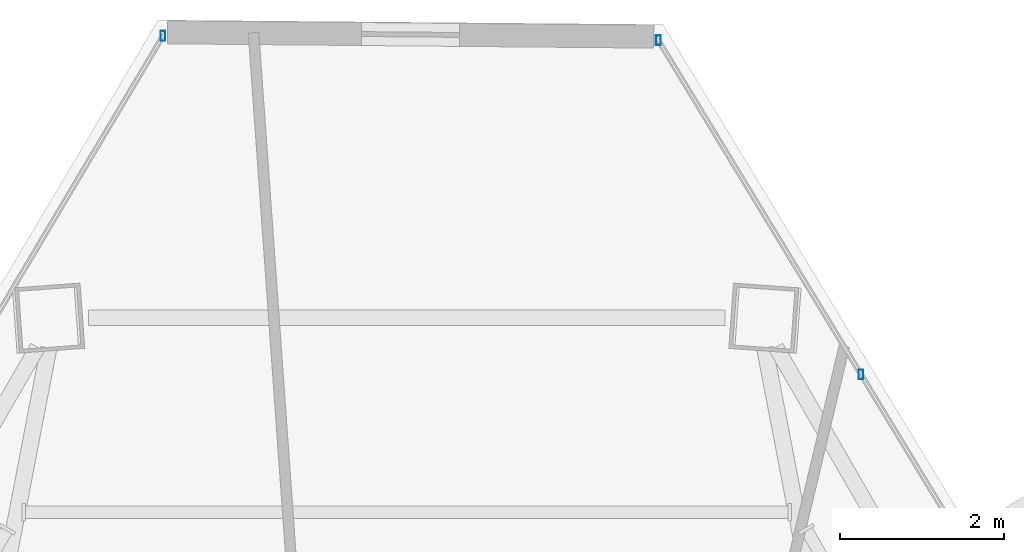
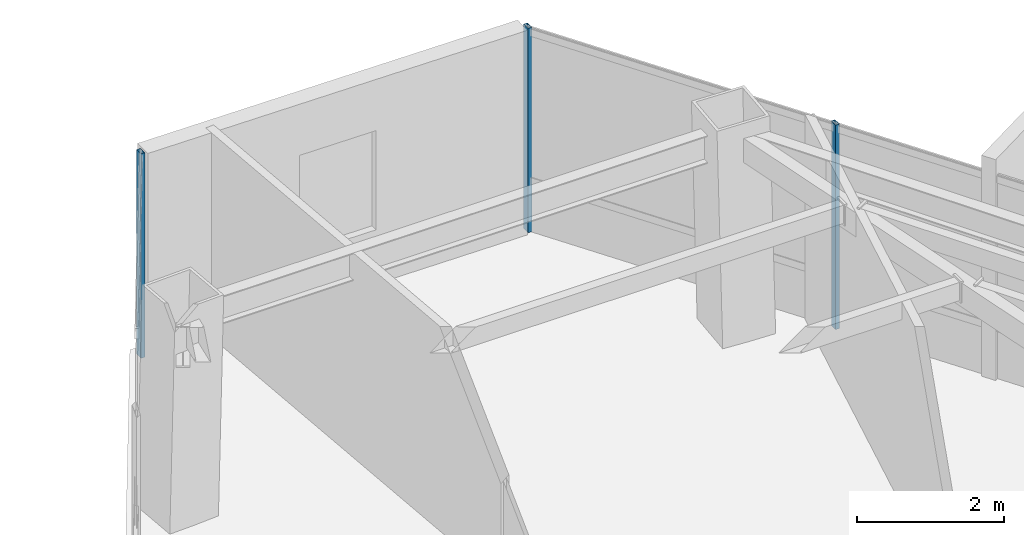
# One storey, part 35 of 49: 3 members, 2 elements without a shape of their own.
"""IFC4 building model written with IfcOpenShell, lengths in metres."""

import ifcopenshell
import ifcopenshell.guid

model = None  # the IFC model being written
_history = None  # IfcOwnerHistory: only IFC2X3 demands one
_inside = {}  # id of a spatial element -> (the spatial element, [elements in it])
_under = {}  # id of a project, library or spatial element -> (it, [spatial elements below it])
_declared = {}  # id of a project -> (the project, [libraries it declares])
_typed = {}  # id of a type object -> (the type object, [elements of that type])
_made_of = {}  # id of a material, layer set ... -> (it, [elements and type objects made of it])


def new_model(schema):
    """Start an empty IFC model of exactly this schema.

    Asked for "IFC4X3", IfcOpenShell would pick the latest addendum, in which some entities
    have other attributes; the version numbers below select the first issue.
    IFC2X3 requires an IfcOwnerHistory on every rooted entity: one is made here for all.
    """
    global model, _history
    if schema == "IFC4X3":
        model = ifcopenshell.file(schema_version=(4, 3, 0, 0))
    else:
        model = ifcopenshell.file(schema=schema)
    _inside.clear()
    _under.clear()
    _declared.clear()
    _typed.clear()
    _made_of.clear()
    _history = None
    if model.schema == "IFC2X3":
        org = make("IfcOrganization", Name="unknown")
        user = make(
            "IfcPersonAndOrganization",
            ThePerson=make("IfcPerson", FamilyName="unknown"),
            TheOrganization=org,
        )
        app = make(
            "IfcApplication",
            ApplicationDeveloper=org,
            Version="unknown",
            ApplicationFullName="unknown",
            ApplicationIdentifier="unknown",
        )
        _history = make(
            "IfcOwnerHistory",
            OwningUser=user,
            OwningApplication=app,
            ChangeAction="ADDED",
            CreationDate=0,
        )
    return model


def make(cls, **values):
    """One entity of the class cls with the attributes given. An attribute that is None is left unset."""
    return model.create_entity(
        cls, **{name: value for name, value in values.items() if value is not None}
    )


def rooted(cls, **values):
    """An entity with a GlobalId (a new one), such as an element, a storey or a relation."""
    return make(cls, GlobalId=ifcopenshell.guid.new(), OwnerHistory=_history, **values)


def si_unit(unit_type, name, prefix=None):
    """IfcSIUnit, for example si_unit("LENGTHUNIT", "METRE", prefix="MILLI")."""
    return make("IfcSIUnit", UnitType=unit_type, Prefix=prefix, Name=name)


def assignment(units):
    """IfcUnitAssignment: the units of a project."""
    return None if units is None else make("IfcUnitAssignment", Units=units)


def point(xyz):
    """IfcCartesianPoint."""
    return None if xyz is None else make("IfcCartesianPoint", Coordinates=xyz)


def direction(xyz):
    """IfcDirection."""
    return None if xyz is None else make("IfcDirection", DirectionRatios=xyz)


def frame(location, z_axis=None, x_axis=None):
    """IfcAxis2Placement3D, a coordinate frame: its origin and axes. An axis left out is left unset."""
    return make(
        "IfcAxis2Placement3D",
        Location=point(location),
        Axis=direction(z_axis),
        RefDirection=direction(x_axis),
    )


def frame_2d(location, x_axis=None):
    """IfcAxis2Placement2D, a coordinate frame in the plane: its origin and x axis."""
    return make(
        "IfcAxis2Placement2D", Location=point(location), RefDirection=direction(x_axis)
    )


def origin():
    """The frame at (0, 0, 0) with its axes left unset."""
    return frame((0.0, 0.0, 0.0))


def origin_2d():
    """The frame at (0, 0) in the plane with its x axis left unset."""
    return frame_2d((0.0, 0.0))


def place(relative_to, where):
    """IfcLocalPlacement: puts the frame where relative to a parent placement (None: the world)."""
    return make(
        "IfcLocalPlacement", PlacementRelTo=relative_to, RelativePlacement=where
    )


def context(
    kind, dimensions, precision=None, world=None, true_north=None, identifier=None
):
    """IfcGeometricRepresentationContext, for example the 3D "Model" context."""
    return make(
        "IfcGeometricRepresentationContext",
        ContextIdentifier=identifier,
        ContextType=kind,
        CoordinateSpaceDimension=dimensions,
        Precision=precision,
        WorldCoordinateSystem=world,
        TrueNorth=true_north,
    )


def subcontext(parent, identifier, kind, view, scale=None):
    """IfcGeometricRepresentationSubContext, for example "Body" below "Model"."""
    return make(
        "IfcGeometricRepresentationSubContext",
        ContextIdentifier=identifier,
        ContextType=kind,
        ParentContext=parent,
        TargetScale=scale,
        TargetView=view,
    )


def project(units=None, contexts=None):
    """IfcProject with its units and contexts."""
    return rooted(
        "IfcProject",
        Name="project",
        RepresentationContexts=contexts,
        UnitsInContext=assignment(units),
    )


def spatial(cls, under=None, at=None, **own):
    """A site, building, storey or space (cls), placed at a placement, below another one or the project."""
    s = rooted(cls, ObjectPlacement=at, **own)
    if under is not None:
        _under.setdefault(under.id(), (under, []))[1].append(s)
    return s


def profile(cls, at=None, kind="AREA", **sizes):
    """A parametric profile (cls). Its sizes go by their IFC names, for example OverallWidth=200.0."""
    return make(cls, ProfileType=kind, Position=at, **sizes)


def hollow_rectangle(**sizes):
    """IfcRectangleHollowProfileDef."""
    return profile("IfcRectangleHollowProfileDef", **sizes)


def extrude(swept, where, along, depth):
    """IfcExtrudedAreaSolid: the profile swept, set in the frame where, extruded along a direction by depth."""
    return make(
        "IfcExtrudedAreaSolid",
        SweptArea=swept,
        Position=where,
        ExtrudedDirection=direction(along),
        Depth=depth,
    )


def shape(context_of_items, identifier, shape_type, items):
    """IfcShapeRepresentation: the items that make up one representation, for example the "Body"."""
    return make(
        "IfcShapeRepresentation",
        ContextOfItems=context_of_items,
        RepresentationIdentifier=identifier,
        RepresentationType=shape_type,
        Items=items,
    )


def source(mapping_origin, context_of_items, identifier, shape_type, items):
    """IfcRepresentationMap: a shape defined once, which mapped items show again and again."""
    return make(
        "IfcRepresentationMap",
        MappingOrigin=mapping_origin,
        MappedRepresentation=shape(context_of_items, identifier, shape_type, items),
    )


def transform(
    local_origin,
    x_axis=None,
    y_axis=None,
    z_axis=None,
    scale=None,
    scale2=None,
    scale3=None,
    uniform=True,
):
    """IfcCartesianTransformationOperator3D, or its non-uniform kind. x_axis, y_axis, z_axis: its Axis1, 2, 3."""
    if uniform:
        return make(
            "IfcCartesianTransformationOperator3D",
            Axis1=direction(x_axis),
            Axis2=direction(y_axis),
            LocalOrigin=point(local_origin),
            Scale=scale,
            Axis3=direction(z_axis),
        )
    return make(
        "IfcCartesianTransformationOperator3DnonUniform",
        Axis1=direction(x_axis),
        Axis2=direction(y_axis),
        LocalOrigin=point(local_origin),
        Scale=scale,
        Axis3=direction(z_axis),
        Scale2=scale2,
        Scale3=scale3,
    )


def mapped(mapping_source, mapping_target):
    """IfcMappedItem: shows the shape of a source again, moved by a transform."""
    return make(
        "IfcMappedItem", MappingSource=mapping_source, MappingTarget=mapping_target
    )


def material(Name=None, Category=None):
    """IfcMaterial."""
    return make("IfcMaterial", Name=Name, Category=Category)


def material_profile(
    of_material, cross_section, Name=None, Category=None, Priority=None
):
    """IfcMaterialProfile: a cross section and its material."""
    return make(
        "IfcMaterialProfile",
        Name=Name,
        Material=of_material,
        Profile=cross_section,
        Priority=Priority,
        Category=Category,
    )


def profile_set(profiles, Name=None, composite=None):
    """IfcMaterialProfileSet."""
    return make(
        "IfcMaterialProfileSet",
        Name=Name,
        MaterialProfiles=profiles,
        CompositeProfile=composite,
    )


def made_of(thing, what):
    """Note that an element or type object is made of a material, layer set ...; save() writes the relation."""
    if what is not None:
        _made_of.setdefault(what.id(), (what, []))[1].append(thing)
    return thing


def type_object(cls, material=None, **own):
    """A type object (cls), such as IfcWallType, which elements share."""
    return made_of(rooted(cls, **own), material)


def type_shapes(of_type, sources):
    """Give a type object the sources (RepresentationMaps) that its elements show as mapped items."""
    of_type.RepresentationMaps = sources


def element(
    cls,
    number,
    at=None,
    inside=None,
    cuts=None,
    type_object=None,
    material=None,
    context=None,
    identifier="Body",
    shape_type=None,
    held_by="IfcProductDefinitionShape",
    body=None,
    shapes=None,
    **own,
):
    """One element of the class cls, such as IfcWall. Its Tag is "e" and its number.

    at: its placement. inside: the storey or other place that contains it. cuts: it is an
    opening in that element (IfcRelVoidsElement). A single representation is given by context,
    identifier, shape_type and body (its items); several are given by shapes. held_by: the class
    of the entity that holds the representations. save() writes the other relations.
    """
    e = rooted(cls, Tag="e%d" % number, ObjectPlacement=at, **own)
    if body is not None:
        shapes = [shape(context, identifier, shape_type, body)]
    if shapes is not None:
        e.Representation = make(held_by, Representations=shapes)
    if inside is not None:
        _inside.setdefault(inside.id(), (inside, []))[1].append(e)
    if cuts is not None:
        rooted(
            "IfcRelVoidsElement", RelatingBuildingElement=cuts, RelatedOpeningElement=e
        )
    if type_object is not None:
        _typed.setdefault(type_object.id(), (type_object, []))[1].append(e)
    return made_of(e, material)


def aggregate(whole, parts):
    """IfcRelAggregates: a whole, such as a stair, and the parts it consists of."""
    return rooted("IfcRelAggregates", RelatingObject=whole, RelatedObjects=parts)


def save(model, path):
    """Write the relations noted so far, then the file.

    IfcRelAggregates (storeys below a building ...), IfcRelContainedInSpatialStructure (elements
    in a storey), IfcRelDefinesByType, IfcRelAssociatesMaterial and IfcRelDeclares: one each for
    every whole, place, type object, material and project.
    """
    for whole, parts in _under.values():
        aggregate(whole, parts)
    for where, things in _inside.values():
        rooted(
            "IfcRelContainedInSpatialStructure",
            RelatedElements=things,
            RelatingStructure=where,
        )
    for kind, things in _typed.values():
        rooted("IfcRelDefinesByType", RelatedObjects=things, RelatingType=kind)
    for what, things in _made_of.values():
        rooted("IfcRelAssociatesMaterial", RelatedObjects=things, RelatingMaterial=what)
    for by, libraries in _declared.values():
        rooted("IfcRelDeclares", RelatingContext=by, RelatedDefinitions=libraries)
    model.write(path)


model = new_model("IFC4")

# Units and contexts
model_context = context("Model", 3, precision=1e-05, world=origin(), true_north=direction((0.0, 1.0)))
body_context = subcontext(model_context, "Body", "Model", "MODEL_VIEW")
ifc_project = project(units=[si_unit("LENGTHUNIT", "METRE"), si_unit("AREAUNIT", "SQUARE_METRE"), si_unit("VOLUMEUNIT", "CUBIC_METRE"), si_unit("PLANEANGLEUNIT", "RADIAN"), si_unit("MASSUNIT", "GRAM", prefix="KILO")], contexts=[model_context])

# Site, building, storey
site_placement = place(None, origin())
site = spatial("IfcSite", under=ifc_project, at=site_placement, CompositionType="ELEMENT")
building_placement = place(site_placement, origin())
building = spatial("IfcBuilding", under=site, at=building_placement, Name="Caelisora Broadcast Tower", CompositionType="ELEMENT")
storey_placement = place(building_placement, frame((0.0, 0.0, 233.5)))
storey = spatial("IfcBuildingStorey", under=building, at=storey_placement, Name="L61", CompositionType="ELEMENT", Elevation=233.5)

# Curtain wall, members
ifc_material_1 = material(Name="Unitised Aluminium and Low-E Glass Curtain Wall", Category="glass")
curtain_wall_type = type_object("IfcCurtainWallType", Name="CW-Z5", PredefinedType="NOTDEFINED", material=ifc_material_1)
curtain_wall_1_placement = place(storey_placement, origin())
curtain_wall_1 = element("IfcCurtainWall", 1, at=curtain_wall_1_placement, inside=storey, type_object=curtain_wall_type, Name="L61 curtain wall CW-Z5", PredefinedType="NOTDEFINED")
ifc_material_2 = material(Name="Aluminium 6063-T6 Anodised Terracotta Bronze", Category="aluminium")
ifc_material_profile = material_profile(ifc_material_2, hollow_rectangle(XDim=0.06005859375, YDim=0.1201171875, WallThickness=0.0029296875, at=origin_2d()), Name="Aluminium 6063-T6 Anodised Terracotta Bronze")
ifc_profile_set = profile_set([ifc_material_profile], Name="Aluminium 6063-T6 Anodised Terracotta Bronze")
member_type = type_object("IfcMemberType", Name="CWM-04", PredefinedType="MULLION", material=ifc_profile_set)
shared_shape = source(origin(), body_context, "Body", "SweptSolid", [
    extrude(hollow_rectangle(XDim=0.06005859375, YDim=0.1201171875, WallThickness=0.0029296875, at=origin_2d()), origin(), (0.0, 0.0, 1.0), 3.39990234375),
])
type_shapes(member_type, [shared_shape])
member_1_placement = place(storey_placement, frame((41.074951171875, 50.0341796875, 0.0), z_axis=(0.0, 0.0, 1.0), x_axis=(1.0, 0.0, 0.0)))
member_1 = element("IfcMember", 2, at=member_1_placement, type_object=member_type, Name="L61-CW-B01 mullion #0", PredefinedType="MULLION", context=body_context, shape_type="MappedRepresentation", body=[
    mapped(shared_shape, transform((0.0, 0.0, 0.0), scale=1.0)),
])
member_2_placement = place(storey_placement, frame((43.552734375, 45.947998046875, 0.0), z_axis=(0.0, 0.0, 1.0), x_axis=(1.0, 0.0, 0.0)))
member_2 = element("IfcMember", 3, at=member_2_placement, type_object=member_type, Name="L61-CW-B01 mullion #1", PredefinedType="MULLION", context=body_context, shape_type="MappedRepresentation", body=[
    mapped(shared_shape, transform((0.0, 0.0, 0.0), scale=1.0)),
])
aggregate(curtain_wall_1, [member_1, member_2])

# Curtain wall, member
curtain_wall_2_placement = place(storey_placement, origin())
curtain_wall_2 = element("IfcCurtainWall", 4, at=curtain_wall_2_placement, inside=storey, type_object=curtain_wall_type, Name="L61 curtain wall CW-Z5", PredefinedType="NOTDEFINED")
member_3_placement = place(storey_placement, frame((35.0205078125, 50.0869140625, 0.0), z_axis=(0.0, 0.0, 1.0), x_axis=(1.0, 0.0, 0.0)))
member_3 = element("IfcMember", 5, at=member_3_placement, type_object=member_type, Name="L61-CW-B11 mullion #3", PredefinedType="MULLION", context=body_context, shape_type="MappedRepresentation", body=[
    mapped(shared_shape, transform((0.0, 0.0, 0.0), scale=1.0)),
])
aggregate(curtain_wall_2, [member_3])

save(model, "model.ifc")
